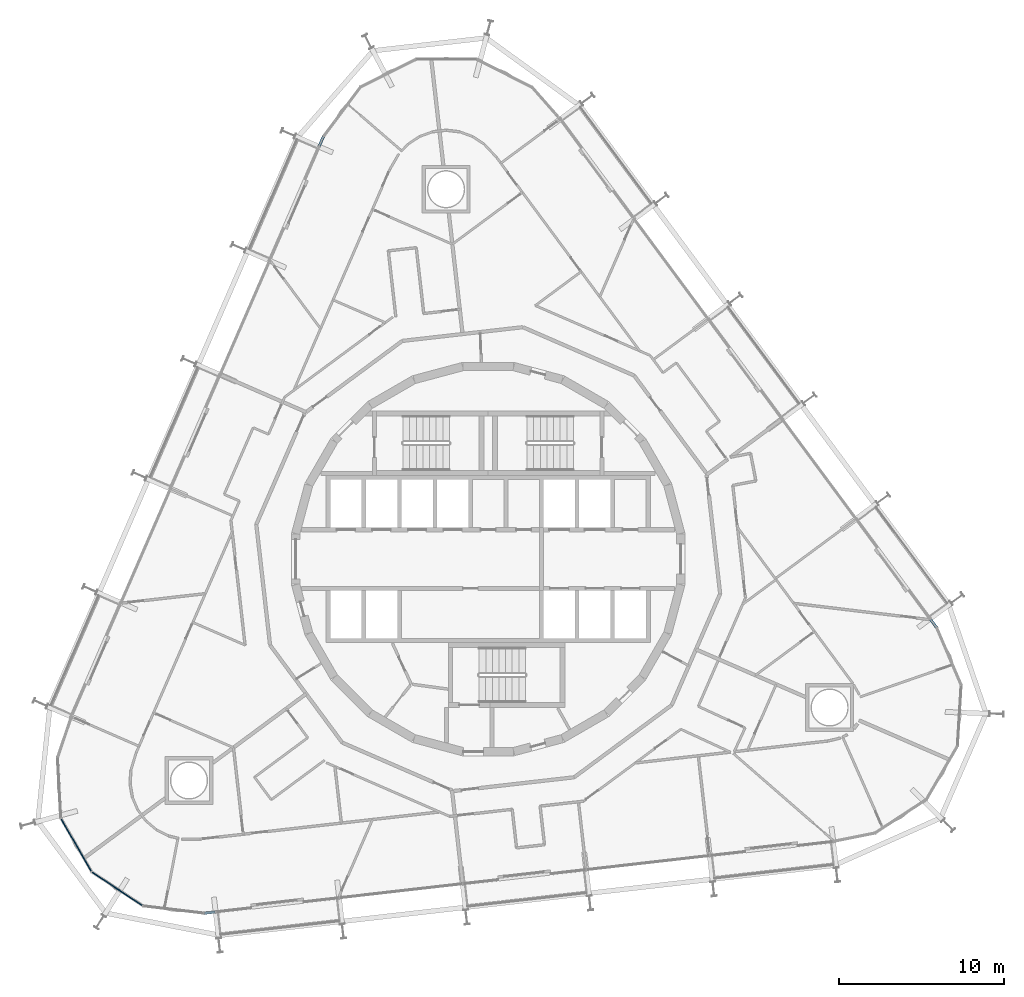
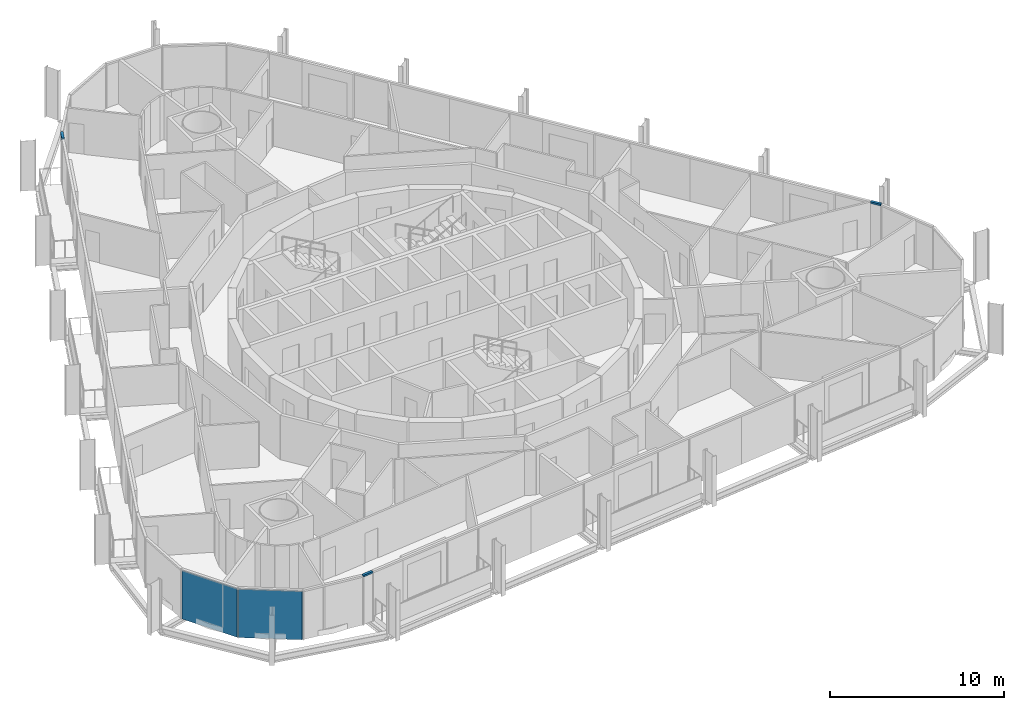
# One storey, part 12 of 24: 3 members, 2 plates, 3 elements without a shape of their own.
"""IFC4 building model written with IfcOpenShell, lengths in metres."""

import ifcopenshell
import ifcopenshell.guid

model = None  # the IFC model being written
_history = None  # IfcOwnerHistory: only IFC2X3 demands one
_inside = {}  # id of a spatial element -> (the spatial element, [elements in it])
_under = {}  # id of a project, library or spatial element -> (it, [spatial elements below it])
_declared = {}  # id of a project -> (the project, [libraries it declares])
_typed = {}  # id of a type object -> (the type object, [elements of that type])
_made_of = {}  # id of a material, layer set ... -> (it, [elements and type objects made of it])


def new_model(schema):
    """Start an empty IFC model of exactly this schema.

    Asked for "IFC4X3", IfcOpenShell would pick the latest addendum, in which some entities
    have other attributes; the version numbers below select the first issue.
    IFC2X3 requires an IfcOwnerHistory on every rooted entity: one is made here for all.
    """
    global model, _history
    if schema == "IFC4X3":
        model = ifcopenshell.file(schema_version=(4, 3, 0, 0))
    else:
        model = ifcopenshell.file(schema=schema)
    _inside.clear()
    _under.clear()
    _declared.clear()
    _typed.clear()
    _made_of.clear()
    _history = None
    if model.schema == "IFC2X3":
        org = make("IfcOrganization", Name="unknown")
        user = make(
            "IfcPersonAndOrganization",
            ThePerson=make("IfcPerson", FamilyName="unknown"),
            TheOrganization=org,
        )
        app = make(
            "IfcApplication",
            ApplicationDeveloper=org,
            Version="unknown",
            ApplicationFullName="unknown",
            ApplicationIdentifier="unknown",
        )
        _history = make(
            "IfcOwnerHistory",
            OwningUser=user,
            OwningApplication=app,
            ChangeAction="ADDED",
            CreationDate=0,
        )
    return model


def make(cls, **values):
    """One entity of the class cls with the attributes given. An attribute that is None is left unset."""
    return model.create_entity(
        cls, **{name: value for name, value in values.items() if value is not None}
    )


def rooted(cls, **values):
    """An entity with a GlobalId (a new one), such as an element, a storey or a relation."""
    return make(cls, GlobalId=ifcopenshell.guid.new(), OwnerHistory=_history, **values)


def si_unit(unit_type, name, prefix=None):
    """IfcSIUnit, for example si_unit("LENGTHUNIT", "METRE", prefix="MILLI")."""
    return make("IfcSIUnit", UnitType=unit_type, Prefix=prefix, Name=name)


def assignment(units):
    """IfcUnitAssignment: the units of a project."""
    return None if units is None else make("IfcUnitAssignment", Units=units)


def point(xyz):
    """IfcCartesianPoint."""
    return None if xyz is None else make("IfcCartesianPoint", Coordinates=xyz)


def direction(xyz):
    """IfcDirection."""
    return None if xyz is None else make("IfcDirection", DirectionRatios=xyz)


def frame(location, z_axis=None, x_axis=None):
    """IfcAxis2Placement3D, a coordinate frame: its origin and axes. An axis left out is left unset."""
    return make(
        "IfcAxis2Placement3D",
        Location=point(location),
        Axis=direction(z_axis),
        RefDirection=direction(x_axis),
    )


def frame_2d(location, x_axis=None):
    """IfcAxis2Placement2D, a coordinate frame in the plane: its origin and x axis."""
    return make(
        "IfcAxis2Placement2D", Location=point(location), RefDirection=direction(x_axis)
    )


def origin():
    """The frame at (0, 0, 0) with its axes left unset."""
    return frame((0.0, 0.0, 0.0))


def origin_2d():
    """The frame at (0, 0) in the plane with its x axis left unset."""
    return frame_2d((0.0, 0.0))


def place(relative_to, where):
    """IfcLocalPlacement: puts the frame where relative to a parent placement (None: the world)."""
    return make(
        "IfcLocalPlacement", PlacementRelTo=relative_to, RelativePlacement=where
    )


def context(
    kind, dimensions, precision=None, world=None, true_north=None, identifier=None
):
    """IfcGeometricRepresentationContext, for example the 3D "Model" context."""
    return make(
        "IfcGeometricRepresentationContext",
        ContextIdentifier=identifier,
        ContextType=kind,
        CoordinateSpaceDimension=dimensions,
        Precision=precision,
        WorldCoordinateSystem=world,
        TrueNorth=true_north,
    )


def subcontext(parent, identifier, kind, view, scale=None):
    """IfcGeometricRepresentationSubContext, for example "Body" below "Model"."""
    return make(
        "IfcGeometricRepresentationSubContext",
        ContextIdentifier=identifier,
        ContextType=kind,
        ParentContext=parent,
        TargetScale=scale,
        TargetView=view,
    )


def project(units=None, contexts=None):
    """IfcProject with its units and contexts."""
    return rooted(
        "IfcProject",
        Name="project",
        RepresentationContexts=contexts,
        UnitsInContext=assignment(units),
    )


def spatial(cls, under=None, at=None, **own):
    """A site, building, storey or space (cls), placed at a placement, below another one or the project."""
    s = rooted(cls, ObjectPlacement=at, **own)
    if under is not None:
        _under.setdefault(under.id(), (under, []))[1].append(s)
    return s


def profile(cls, at=None, kind="AREA", **sizes):
    """A parametric profile (cls). Its sizes go by their IFC names, for example OverallWidth=200.0."""
    return make(cls, ProfileType=kind, Position=at, **sizes)


def rectangle(**sizes):
    """IfcRectangleProfileDef."""
    return profile("IfcRectangleProfileDef", **sizes)


def extrude(swept, where, along, depth):
    """IfcExtrudedAreaSolid: the profile swept, set in the frame where, extruded along a direction by depth."""
    return make(
        "IfcExtrudedAreaSolid",
        SweptArea=swept,
        Position=where,
        ExtrudedDirection=direction(along),
        Depth=depth,
    )


def shape(context_of_items, identifier, shape_type, items):
    """IfcShapeRepresentation: the items that make up one representation, for example the "Body"."""
    return make(
        "IfcShapeRepresentation",
        ContextOfItems=context_of_items,
        RepresentationIdentifier=identifier,
        RepresentationType=shape_type,
        Items=items,
    )


def material(Name=None, Category=None):
    """IfcMaterial."""
    return make("IfcMaterial", Name=Name, Category=Category)


def layer(
    of_material, thickness, ventilated=None, Name=None, Category=None, Priority=None
):
    """IfcMaterialLayer: one layer of a wall or slab, of a material (None: an air gap)."""
    return make(
        "IfcMaterialLayer",
        Material=of_material,
        LayerThickness=thickness,
        IsVentilated=ventilated,
        Name=Name,
        Category=Category,
        Priority=Priority,
    )


def layer_set(layers, Name=None):
    """IfcMaterialLayerSet."""
    return make("IfcMaterialLayerSet", MaterialLayers=layers, LayerSetName=Name)


def material_profile(
    of_material, cross_section, Name=None, Category=None, Priority=None
):
    """IfcMaterialProfile: a cross section and its material."""
    return make(
        "IfcMaterialProfile",
        Name=Name,
        Material=of_material,
        Profile=cross_section,
        Priority=Priority,
        Category=Category,
    )


def profile_set(profiles, Name=None, composite=None):
    """IfcMaterialProfileSet."""
    return make(
        "IfcMaterialProfileSet",
        Name=Name,
        MaterialProfiles=profiles,
        CompositeProfile=composite,
    )


def made_of(thing, what):
    """Note that an element or type object is made of a material, layer set ...; save() writes the relation."""
    if what is not None:
        _made_of.setdefault(what.id(), (what, []))[1].append(thing)
    return thing


def type_object(cls, material=None, **own):
    """A type object (cls), such as IfcWallType, which elements share."""
    return made_of(rooted(cls, **own), material)


def element(
    cls,
    number,
    at=None,
    inside=None,
    cuts=None,
    type_object=None,
    material=None,
    context=None,
    identifier="Body",
    shape_type=None,
    held_by="IfcProductDefinitionShape",
    body=None,
    shapes=None,
    **own,
):
    """One element of the class cls, such as IfcWall. Its Tag is "e" and its number.

    at: its placement. inside: the storey or other place that contains it. cuts: it is an
    opening in that element (IfcRelVoidsElement). A single representation is given by context,
    identifier, shape_type and body (its items); several are given by shapes. held_by: the class
    of the entity that holds the representations. save() writes the other relations.
    """
    e = rooted(cls, Tag="e%d" % number, ObjectPlacement=at, **own)
    if body is not None:
        shapes = [shape(context, identifier, shape_type, body)]
    if shapes is not None:
        e.Representation = make(held_by, Representations=shapes)
    if inside is not None:
        _inside.setdefault(inside.id(), (inside, []))[1].append(e)
    if cuts is not None:
        rooted(
            "IfcRelVoidsElement", RelatingBuildingElement=cuts, RelatedOpeningElement=e
        )
    if type_object is not None:
        _typed.setdefault(type_object.id(), (type_object, []))[1].append(e)
    return made_of(e, material)


def aggregate(whole, parts):
    """IfcRelAggregates: a whole, such as a stair, and the parts it consists of."""
    return rooted("IfcRelAggregates", RelatingObject=whole, RelatedObjects=parts)


def save(model, path):
    """Write the relations noted so far, then the file.

    IfcRelAggregates (storeys below a building ...), IfcRelContainedInSpatialStructure (elements
    in a storey), IfcRelDefinesByType, IfcRelAssociatesMaterial and IfcRelDeclares: one each for
    every whole, place, type object, material and project.
    """
    for whole, parts in _under.values():
        aggregate(whole, parts)
    for where, things in _inside.values():
        rooted(
            "IfcRelContainedInSpatialStructure",
            RelatedElements=things,
            RelatingStructure=where,
        )
    for kind, things in _typed.values():
        rooted("IfcRelDefinesByType", RelatedObjects=things, RelatingType=kind)
    for what, things in _made_of.values():
        rooted("IfcRelAssociatesMaterial", RelatedObjects=things, RelatingMaterial=what)
    for by, libraries in _declared.values():
        rooted("IfcRelDeclares", RelatingContext=by, RelatedDefinitions=libraries)
    model.write(path)


model = new_model("IFC4")

# Units and contexts
model_context = context("Model", 3, precision=1e-05, world=origin(), true_north=direction((0.0, 1.0)))
body_context = subcontext(model_context, "Body", "Model", "MODEL_VIEW")
ifc_project = project(units=[si_unit("LENGTHUNIT", "METRE"), si_unit("AREAUNIT", "SQUARE_METRE"), si_unit("VOLUMEUNIT", "CUBIC_METRE"), si_unit("PLANEANGLEUNIT", "RADIAN"), si_unit("MASSUNIT", "GRAM", prefix="KILO")], contexts=[model_context])

# Site, building, storey
site_placement = place(None, origin())
site = spatial("IfcSite", under=ifc_project, at=site_placement, CompositionType="ELEMENT")
building_placement = place(site_placement, origin())
building = spatial("IfcBuilding", under=site, at=building_placement, Name="Spindle Arch Residences", CompositionType="ELEMENT")
storey_placement = place(building_placement, frame((0.0, 0.0, 87.199951171875)))
storey = spatial("IfcBuildingStorey", under=building, at=storey_placement, Name="L20", CompositionType="ELEMENT", Elevation=87.199951171875)

# Curtain wall, member
ifc_material_1 = material(Name="Aluminium bronze unitised frame with tinted glass", Category="aluminium")
ifc_layer_1 = layer(ifc_material_1, 0.159912109375)
ifc_layer_set_1 = layer_set([ifc_layer_1], Name="CW-D corner wall on the fillet arcs")
curtain_wall_type = type_object("IfcCurtainWallType", Name="CW-D corner wall on the fillet arcs", PredefinedType="NOTDEFINED", material=ifc_layer_set_1)
curtain_wall_1_placement = place(storey_placement, origin())
curtain_wall_1 = element("IfcCurtainWall", 1, at=curtain_wall_1_placement, inside=storey, type_object=curtain_wall_type, Name="CW-D L20 run 1", PredefinedType="NOTDEFINED")
ifc_material_2 = material(Name="Aluminium bronze anodised transom", Category="aluminium")
ifc_material_profile = material_profile(ifc_material_2, rectangle(XDim=0.159912109375, YDim=0.1201171875, at=origin_2d()), Name="TR 120x160")
ifc_profile_set = profile_set([ifc_material_profile], Name="Aluminium bronze anodised transom")
member_type = type_object("IfcMemberType", Name="Bronze transom 120x160", PredefinedType="USERDEFINED", material=ifc_profile_set)
member_1_placement = place(storey_placement, frame((27.125, -4.1474609375, 3.06005859375), z_axis=(-0.594872516249, 0.803820060344, 0.0), x_axis=(-0.803820060344, -0.594872516249, 0.0)))
member_1 = element("IfcMember", 2, at=member_1_placement, type_object=member_type, Name="CW-D transom 05", ObjectType="TRANSOM", PredefinedType="USERDEFINED", context=body_context, shape_type="SweptSolid", body=[
    extrude(rectangle(XDim=0.159912109375, YDim=0.1201171875, at=origin_2d()), origin(), (0.0, 0.0, 1.0), 0.641357421875),
])
aggregate(curtain_wall_1, [member_1])

curtain_wall_2_placement = place(storey_placement, origin())
curtain_wall_2 = element("IfcCurtainWall", 3, at=curtain_wall_2_placement, inside=storey, type_object=curtain_wall_type, Name="CW-D L20 run 3", PredefinedType="NOTDEFINED")
member_2_placement = place(storey_placement, frame((-9.970703125, 25.564697265625, 3.06005859375), z_axis=(-0.398461689222, -0.917184977102, 0.0), x_axis=(0.917184977102, -0.398461689222, 0.0)))
member_2 = element("IfcMember", 4, at=member_2_placement, type_object=member_type, Name="CW-D transom 05", ObjectType="TRANSOM", PredefinedType="USERDEFINED", context=body_context, shape_type="SweptSolid", body=[
    extrude(rectangle(XDim=0.159912109375, YDim=0.1201171875, at=origin_2d()), origin(), (0.0, 0.0, 1.0), 0.6416015625),
])
aggregate(curtain_wall_2, [member_2])

# Curtain wall, member, plates
curtain_wall_3_placement = place(storey_placement, origin())
curtain_wall_3 = element("IfcCurtainWall", 5, at=curtain_wall_3_placement, inside=storey, type_object=curtain_wall_type, Name="CW-D L20 run 5", PredefinedType="NOTDEFINED")
member_3_placement = place(storey_placement, frame((-17.154296875, -21.417236328125, 3.06005859375), z_axis=(0.993549832432, 0.113396342422, 0.0), x_axis=(-0.113396342422, 0.993549832432, 0.0)))
member_3 = element("IfcMember", 6, at=member_3_placement, type_object=member_type, Name="CW-D transom 05", ObjectType="TRANSOM", PredefinedType="USERDEFINED", context=body_context, shape_type="SweptSolid", body=[
    extrude(rectangle(XDim=0.159912109375, YDim=0.1201171875, at=origin_2d()), origin(), (0.0, 0.0, 1.0), 0.6416015625),
])
ifc_material_3 = material(Name="Tinted double glazing over aluminium faced non-combustible spandrel zone (K0)", Category="aluminium")
ifc_layer_2 = layer(ifc_material_3, 0.06005859375)
ifc_layer_set_2 = layer_set([ifc_layer_2], Name="Unitised glass panel with E 60 spandrel zone")
plate_type = type_object("IfcPlateType", Name="Unitised glass panel with E 60 spandrel zone", PredefinedType="CURTAIN_PANEL", material=ifc_layer_set_2)
plate_1_placement = place(storey_placement, frame((-24.919189453125, -17.3037109375, -0.3798828125), z_axis=(0.0, 0.0, 1.0), x_axis=(0.497478721595, -0.867476179247, 0.0)))
plate_1 = element("IfcPlate", 7, at=plate_1_placement, type_object=plate_type, Name="CW-D unit 02", PredefinedType="CURTAIN_PANEL", context=body_context, shape_type="SweptSolid", body=[
    extrude(rectangle(XDim=3.666748046875, YDim=0.06005859375, at=origin_2d()), origin(), (0.0, 0.0, 1.0), 3.3798828125),
])
plate_2_placement = place(storey_placement, frame((-22.438232421875, -19.94873046875, -0.3798828125), z_axis=(0.0, 0.0, 1.0), x_axis=(0.833885820352, -0.551936987903, 0.0)))
plate_2 = element("IfcPlate", 8, at=plate_2_placement, type_object=plate_type, Name="CW-D unit 03", PredefinedType="CURTAIN_PANEL", context=body_context, shape_type="SweptSolid", body=[
    extrude(rectangle(XDim=3.666748046875, YDim=0.06005859375, at=origin_2d()), origin(), (0.0, 0.0, 1.0), 3.3798828125),
])
aggregate(curtain_wall_3, [plate_1, plate_2, member_3])

save(model, "model.ifc")
